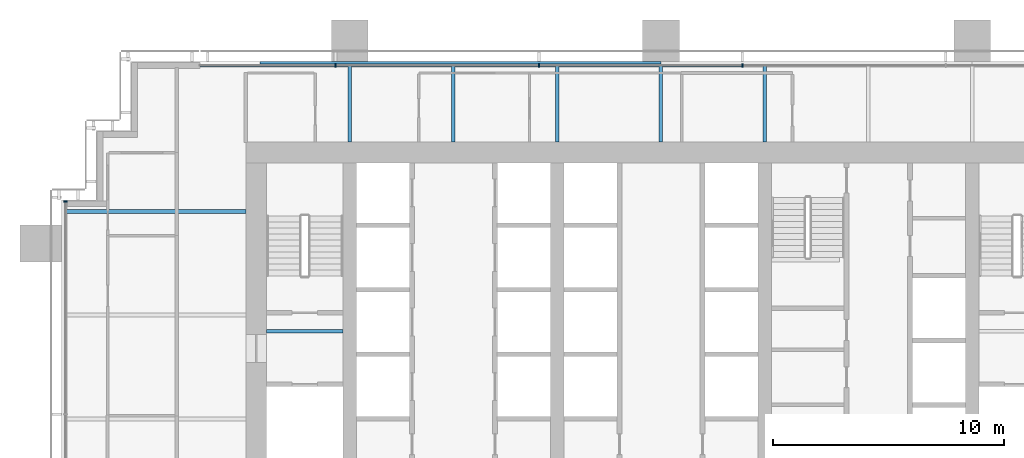
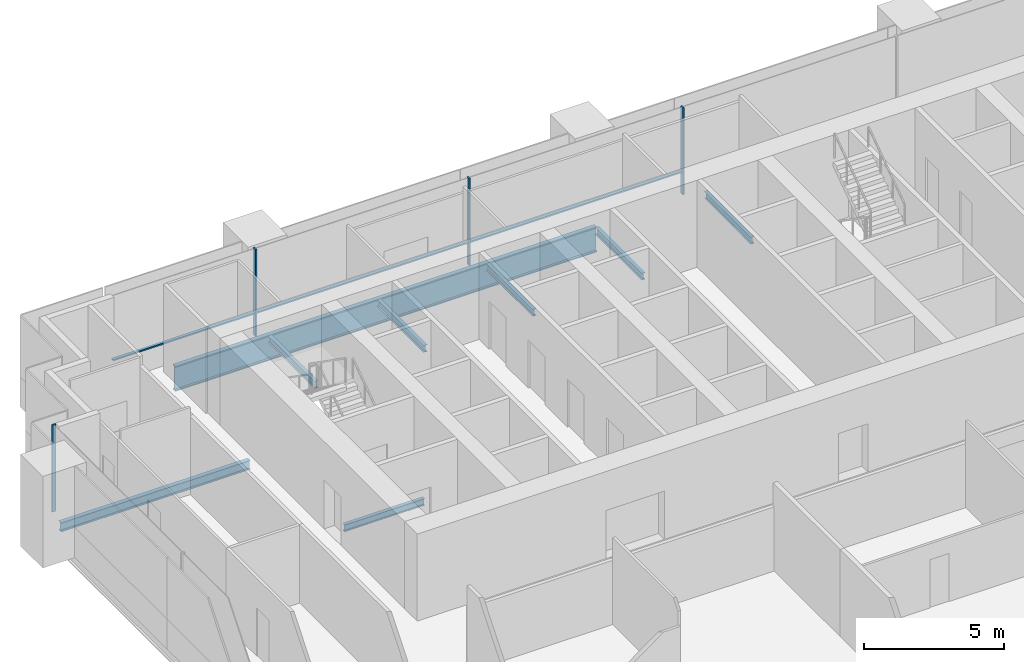
# One storey, part 8 of 19: 8 beams, 7 members, 2 elements without a shape of their own.
"""IFC4 building model written with IfcOpenShell, lengths in metres."""

from ifc_helpers import new_model, si_unit, direction, frame, origin, origin_2d, place, context, subcontext, project, spatial, rectangle, i_section, extrude, material, material_profile, profile_set, type_object, element, aggregate, save


model = new_model("IFC4")

# Units and contexts
model_context = context("Model", 3, precision=1e-05, world=origin(), true_north=direction((0.0, 1.0)))
body_context = subcontext(model_context, "Body", "Model", "MODEL_VIEW")
ifc_project = project(units=[si_unit("LENGTHUNIT", "METRE"), si_unit("AREAUNIT", "SQUARE_METRE"), si_unit("VOLUMEUNIT", "CUBIC_METRE"), si_unit("PLANEANGLEUNIT", "RADIAN"), si_unit("MASSUNIT", "GRAM", prefix="KILO")], contexts=[model_context])

# Site, building, storey
site_placement = place(None, origin())
site = spatial("IfcSite", under=ifc_project, at=site_placement, CompositionType="ELEMENT")
building_placement = place(site_placement, origin())
building = spatial("IfcBuilding", under=site, at=building_placement, Name="Rattan Terrace Tower", CompositionType="ELEMENT")
storey_placement = place(building_placement, frame((0.0, 0.0, 111.699951171875)))
storey = spatial("IfcBuildingStorey", under=building, at=storey_placement, Name="L25", CompositionType="ELEMENT", Elevation=111.699951171875)

# Curtain wall, members
ifc_material_1 = material(Name="Aluminium and glass", Category="aluminium")
curtain_wall_type = type_object("IfcCurtainWallType", Name="Facade Unitised Curtain Wall", PredefinedType="NOTDEFINED", material=ifc_material_1)
curtain_wall_1_placement = place(storey_placement, origin())
curtain_wall_1 = element("IfcCurtainWall", 1, at=curtain_wall_1_placement, inside=storey, type_object=curtain_wall_type, Name="Curtain wall L25-2", PredefinedType="NOTDEFINED")
ifc_material_2 = material(Name="Aluminium", Category="aluminium")
ifc_material_profile_1 = material_profile(ifc_material_2, rectangle(XDim=0.06005859375, YDim=0.159912109375, at=origin_2d()), Name="Aluminium 60x160")
ifc_profile_set_1 = profile_set([ifc_material_profile_1], Name="Aluminium")
member_type_1 = type_object("IfcMemberType", Name="Facade CW Mullion 60x160", PredefinedType="MULLION", material=ifc_profile_set_1)
member_1_placement = place(storey_placement, frame((3.531005859375, 10.830078125, 0.0), z_axis=(0.0, 0.0, 1.0), x_axis=(-1.0, 0.0, 0.0)))
member_1 = element("IfcMember", 2, at=member_1_placement, type_object=member_type_1, Name="Mullion cwl-L25-002.4", PredefinedType="MULLION", context=body_context, shape_type="SweptSolid", body=[
    extrude(rectangle(XDim=0.06005859375, YDim=0.159912109375, at=origin_2d()), origin(), (0.0, 0.0, 1.0), 3.800048828125),
])
member_2_placement = place(storey_placement, frame((-5.2919921875, 10.830078125, 0.0), z_axis=(0.0, 0.0, 1.0), x_axis=(-1.0, 0.0, 0.0)))
member_2 = element("IfcMember", 3, at=member_2_placement, type_object=member_type_1, Name="Mullion cwl-L25-002.5", PredefinedType="MULLION", context=body_context, shape_type="SweptSolid", body=[
    extrude(rectangle(XDim=0.06005859375, YDim=0.159912109375, at=origin_2d()), origin(), (0.0, 0.0, 1.0), 3.800048828125),
])
member_3_placement = place(storey_placement, frame((-14.114990234375, 10.830078125, 0.0), z_axis=(0.0, 0.0, 1.0), x_axis=(-1.0, 0.0, 0.0)))
member_3 = element("IfcMember", 4, at=member_3_placement, type_object=member_type_1, Name="Mullion cwl-L25-002.6", PredefinedType="MULLION", context=body_context, shape_type="SweptSolid", body=[
    extrude(rectangle(XDim=0.06005859375, YDim=0.159912109375, at=origin_2d()), origin(), (0.0, 0.0, 1.0), 3.800048828125),
])

# Curtain wall, member
curtain_wall_2_placement = place(storey_placement, origin())
curtain_wall_2 = element("IfcCurtainWall", 5, at=curtain_wall_2_placement, inside=storey, type_object=curtain_wall_type, Name="Curtain wall L25-3", PredefinedType="NOTDEFINED")
member_4_placement = place(storey_placement, frame((-25.830078125, 4.925048828125, 0.0), z_axis=(0.0, 0.0, 1.0), x_axis=(0.0, -1.0, 0.0)))
member_4 = element("IfcMember", 6, at=member_4_placement, type_object=member_type_1, Name="Mullion cwl-L25-003.1", PredefinedType="MULLION", context=body_context, shape_type="SweptSolid", body=[
    extrude(rectangle(XDim=0.06005859375, YDim=0.159912109375, at=origin_2d()), origin(), (0.0, 0.0, 1.0), 3.800048828125),
])
aggregate(curtain_wall_2, [member_4])

# Member
ifc_material_3 = material(Name="Aluminium", Category="aluminium")
ifc_material_profile_2 = material_profile(ifc_material_3, rectangle(XDim=0.1201171875, YDim=0.06005859375, at=origin_2d()), Name="Aluminium 120x60")
ifc_profile_set_2 = profile_set([ifc_material_profile_2], Name="Aluminium")
member_type_2 = type_object("IfcMemberType", Name="Facade CW Transom 120x60", PredefinedType="USERDEFINED", material=ifc_profile_set_2)
member_5_placement = place(storey_placement, frame((3.5009765625, 10.830078125, 1.0), z_axis=(-1.0, 0.0, 0.0), x_axis=(0.0, -1.0, 0.0)))
member_5 = element("IfcMember", 7, at=member_5_placement, type_object=member_type_2, Name="Transom cwl-L25-002.4", ObjectType="TRANSOM", PredefinedType="USERDEFINED", context=body_context, shape_type="SweptSolid", body=[
    extrude(rectangle(XDim=0.1201171875, YDim=0.06005859375, at=origin_2d()), origin(), (0.0, 0.0, 1.0), 8.762939453125),
])

member_6_placement = place(storey_placement, frame((-5.322021484375, 10.830078125, 1.0), z_axis=(-1.0, 0.0, 0.0), x_axis=(0.0, -1.0, 0.0)))
member_6 = element("IfcMember", 8, at=member_6_placement, type_object=member_type_2, Name="Transom cwl-L25-002.5", ObjectType="TRANSOM", PredefinedType="USERDEFINED", context=body_context, shape_type="SweptSolid", body=[
    extrude(rectangle(XDim=0.1201171875, YDim=0.06005859375, at=origin_2d()), origin(), (0.0, 0.0, 1.0), 8.762939453125),
])

member_7_placement = place(storey_placement, frame((-14.14501953125, 10.830078125, 1.0), z_axis=(-1.0, 0.0, 0.0), x_axis=(0.0, -1.0, 0.0)))
member_7 = element("IfcMember", 9, at=member_7_placement, type_object=member_type_2, Name="Transom cwl-L25-002.6", ObjectType="TRANSOM", PredefinedType="USERDEFINED", context=body_context, shape_type="SweptSolid", body=[
    extrude(rectangle(XDim=0.1201171875, YDim=0.06005859375, at=origin_2d()), origin(), (0.0, 0.0, 1.0), 5.85498046875),
])

aggregate(curtain_wall_1, [member_1, member_2, member_3, member_5, member_6, member_7])

# Beams
ifc_material_4 = material(Name="Steel S460", Category="steel")
ifc_material_profile_3 = material_profile(ifc_material_4, i_section(OverallWidth=0.179931640625, OverallDepth=1.10009765625, WebThickness=0.01611328125, FlangeThickness=0.050048828125, at=origin_2d()), Name="PG 1100x180-16-50")
ifc_profile_set_3 = profile_set([ifc_material_profile_3], Name="Steel S460")
beam_type_1 = type_object("IfcBeamType", Name="Frame edge girder PG 1100x180-16-50", PredefinedType="SPANDREL", material=ifc_profile_set_3)
beam_1_placement = place(storey_placement, frame((-17.39990234375, 10.909912109375, -0.75), z_axis=(1.0, 0.0, 0.0), x_axis=(0.0, 1.0, 0.0)))
element("IfcBeam", 10, at=beam_1_placement, inside=storey, type_object=beam_type_1, Name="gdr-L25-006", PredefinedType="SPANDREL", context=body_context, shape_type="SweptSolid", body=[
    extrude(i_section(OverallWidth=0.179931640625, OverallDepth=1.10009765625, WebThickness=0.01611328125, FlangeThickness=0.050048828125, at=origin_2d()), origin(), (0.0, 0.0, 1.0), 17.39990234375),
])
ifc_material_5 = material(Name="Steel S355", Category="steel")
ifc_material_profile_4 = material_profile(ifc_material_5, i_section(OverallWidth=0.14990234375, OverallDepth=0.300048828125, WebThickness=0.007080078125, FlangeThickness=0.0107421875, FilletRadius=0.014892578125, at=origin_2d()), Name="IPE 300")
ifc_profile_set_4 = profile_set([ifc_material_profile_4], Name="Steel S355")
beam_type_2 = type_object("IfcBeamType", Name="Frame floor beam IPE 300", PredefinedType="JOIST", material=ifc_profile_set_4)
beam_2_placement = place(storey_placement, frame((-17.10009765625, -0.695068359375, -0.349853515625), z_axis=(1.0, 0.0, 0.0), x_axis=(0.0, 1.0, 0.0)))
element("IfcBeam", 11, at=beam_2_placement, inside=storey, type_object=beam_type_2, Name="bm-L25-001", PredefinedType="JOIST", context=body_context, shape_type="SweptSolid", body=[
    extrude(i_section(OverallWidth=0.14990234375, OverallDepth=0.300048828125, WebThickness=0.007080078125, FlangeThickness=0.0107421875, FilletRadius=0.014892578125, at=origin_2d()), origin(), (0.0, 0.0, 1.0), 3.300048828125),
])
for number, where, z_axis, x_axis, name in (
    (12, (-13.5, 7.5, -0.349853515625), (0.0, 1.0, 0.0), (-1.0, 0.0, 0.0), "bm-L25-018"),
    (13, (-9.0, 7.5, -0.349853515625), (0.0, 1.0, 0.0), (-1.0, 0.0, 0.0), "bm-L25-019"),
    (14, (-4.5, 7.5, -0.349853515625), (0.0, 1.0, 0.0), (-1.0, 0.0, 0.0), "bm-L25-020"),
    (15, (0.0, 7.5, -0.349853515625), (0.0, 1.0, 0.0), (-1.0, 0.0, 0.0), "bm-L25-021"),
    (16, (4.5, 7.5, -0.349853515625), (0.0, 1.0, 0.0), (-1.0, 0.0, 0.0), "bm-L25-022"),
):
    element("IfcBeam", number, at=place(storey_placement, frame(where, z_axis=z_axis, x_axis=x_axis)), inside=storey, type_object=beam_type_2, Name=name, PredefinedType="JOIST", context=body_context, shape_type="SweptSolid", body=[
        extrude(i_section(OverallWidth=0.14990234375, OverallDepth=0.300048828125, WebThickness=0.007080078125, FlangeThickness=0.0107421875, FilletRadius=0.014892578125, at=origin_2d()), origin(), (0.0, 0.0, 1.0), 3.320068359375),
    ])
ifc_material_6 = material(Name="Steel S355", Category="steel")
ifc_material_profile_5 = material_profile(ifc_material_6, i_section(OverallWidth=0.179931640625, OverallDepth=0.39990234375, WebThickness=0.008544921875, FlangeThickness=0.013427734375, FilletRadius=0.02099609375, at=origin_2d()), Name="IPE 400")
ifc_profile_set_5 = profile_set([ifc_material_profile_5], Name="Steel S355")
beam_type_3 = type_object("IfcBeamType", Name="Frame floor beam IPE 400", PredefinedType="JOIST", material=ifc_profile_set_5)
beam_3_placement = place(storey_placement, frame((-25.820068359375, 4.5, -0.39990234375), z_axis=(1.0, 0.0, 0.0), x_axis=(0.0, 1.0, 0.0)))
element("IfcBeam", 17, at=beam_3_placement, inside=storey, type_object=beam_type_3, Name="bm-L25-016", PredefinedType="JOIST", context=body_context, shape_type="SweptSolid", body=[
    extrude(i_section(OverallWidth=0.179931640625, OverallDepth=0.39990234375, WebThickness=0.008544921875, FlangeThickness=0.013427734375, FilletRadius=0.02099609375, at=origin_2d()), origin(), (0.0, 0.0, 1.0), 7.820068359375),
])

save(model, "model.ifc")
